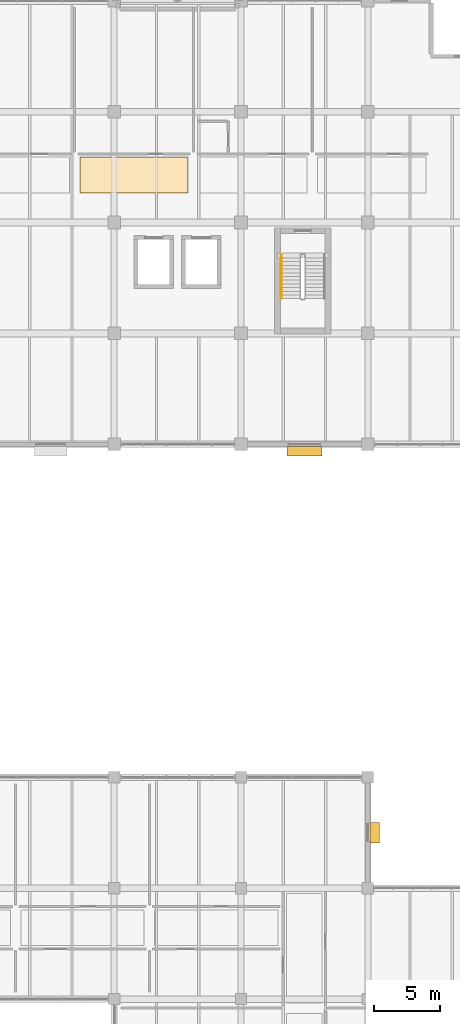
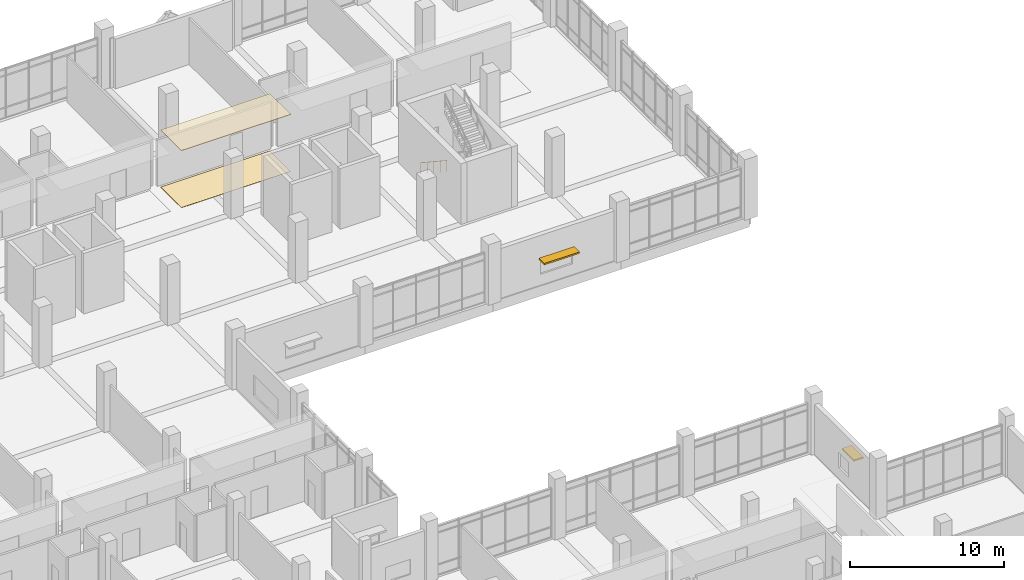
# One storey, part 150 of 152: 2 coverings, 2 shading devices, 1 railing.
"""IFC4 building model written with IfcOpenShell, lengths in metres."""

from ifc_helpers import new_model, si_unit, direction, frame, origin, origin_2d, place, context, subcontext, project, spatial, polyline, rectangle, circle, outline, extrude, material, layer, layer_set, type_object, element, save


model = new_model("IFC4")

# Units and contexts
model_context = context("Model", 3, precision=1e-05, world=origin(), true_north=direction((0.0, 1.0)))
body_context = subcontext(model_context, "Body", "Model", "MODEL_VIEW")
ifc_project = project(units=[si_unit("LENGTHUNIT", "METRE"), si_unit("AREAUNIT", "SQUARE_METRE"), si_unit("VOLUMEUNIT", "CUBIC_METRE"), si_unit("PLANEANGLEUNIT", "RADIAN"), si_unit("MASSUNIT", "GRAM", prefix="KILO")], contexts=[model_context])

# Site, building, storey
site_placement = place(None, origin())
site = spatial("IfcSite", under=ifc_project, at=site_placement, CompositionType="ELEMENT")
building_placement = place(site_placement, origin())
building = spatial("IfcBuilding", under=site, at=building_placement, Name="Oolite Switchyard Hospital", CompositionType="ELEMENT")
storey_placement = place(building_placement, frame((0.0, 0.0, 5.10009765625)))
storey = spatial("IfcBuildingStorey", under=building, at=storey_placement, Name="L01", CompositionType="ELEMENT", Elevation=5.10009765625)

# Coverings
ifc_material_1 = material(Name="Hygienic washable mineral-fibre acoustic ceiling")
ifc_layer_1 = layer(ifc_material_1, 0.0400390625)
ifc_layer_set_1 = layer_set([ifc_layer_1], Name="COV-CEIL-AC60")
covering_type_1 = type_object("IfcCoveringType", Name="COV-CEIL-AC60", PredefinedType="CEILING", material=ifc_layer_set_1)
covering_1_placement = place(storey_placement, frame((0.0, 0.0, 4.5)))
element("IfcCovering", 1, at=covering_1_placement, inside=storey, type_object=covering_type_1, Name="L01 East Ambulatory Surgery Ward Corridor Ceiling 6", PredefinedType="CEILING", context=body_context, shape_type="SweptSolid", body=[
    extrude(outline(polyline([(179.800048828125, 119.85009765625), (188.0, 119.85009765625), (188.0, 122.550048828125), (179.800048828125, 122.550048828125), (179.800048828125, 119.85009765625)])), origin(), (0.0, 0.0, 1.0), 0.039794921875),
])
ifc_material_2 = material(Name="Conductive homogeneous sheet vinyl flooring")
ifc_layer_2 = layer(ifc_material_2, 0.014892578125)
ifc_layer_set_2 = layer_set([ifc_layer_2], Name="COV-FLR-ESD15")
covering_type_2 = type_object("IfcCoveringType", Name="COV-FLR-ESD15", PredefinedType="FLOORING", material=ifc_layer_set_2)
covering_2_placement = place(storey_placement, origin())
element("IfcCovering", 2, at=covering_2_placement, inside=storey, type_object=covering_type_2, Name="L01 East Ambulatory Surgery Ward Corridor Flooring 6", PredefinedType="FLOORING", context=body_context, shape_type="SweptSolid", body=[
    extrude(outline(polyline([(179.800048828125, 119.85009765625), (188.0, 119.85009765625), (188.0, 122.550048828125), (179.800048828125, 122.550048828125), (179.800048828125, 119.85009765625)])), origin(), (0.0, 0.0, 1.0), 0.014892578125),
])

# Railing
ifc_material_3 = material(Name="Galvanized painted architectural steel handrail", Category="steel")
railing_type = type_object("IfcRailingType", Name="RL-STAIR-HND", PredefinedType="HANDRAIL", material=ifc_material_3)
railing_placement = place(storey_placement, frame((195.050048828125, 115.18994140625, 0.1845703125)))
element("IfcRailing", 3, at=railing_placement, inside=storey, type_object=railing_type, Name="L01 ST-04 stair handrail 1", PredefinedType="HANDRAIL", context=body_context, shape_type="SweptSolid", body=[
    extrude(circle(Radius=0.02392578125, at=origin_2d()), frame((0.0, 0.0, 0.8759765625), z_axis=(0.0, -0.834858096282, 0.550465220583), x_axis=(1.0, 0.0, 0.0)), (0.0, 0.0, 1.0), 4.0244140625),
    extrude(circle(Radius=0.02099609375, at=origin_2d()), origin(), (0.0, 0.0, 1.0), 0.851806640625),
    extrude(circle(Radius=0.02099609375, at=origin_2d()), frame((0.0, -0.83984375, 0.5537109375)), (0.0, 0.0, 1.0), 0.851806640625),
    extrude(circle(Radius=0.02099609375, at=origin_2d()), frame((0.0, -1.679931640625, 1.107666015625)), (0.0, 0.0, 1.0), 0.851806640625),
    extrude(circle(Radius=0.02099609375, at=origin_2d()), frame((0.0, -2.52001953125, 1.66162109375)), (0.0, 0.0, 1.0), 0.851806640625),
    extrude(circle(Radius=0.02099609375, at=origin_2d()), frame((0.0, -3.35986328125, 2.21533203125)), (0.0, 0.0, 1.0), 0.851806640625),
])

# Shading devices
ifc_material_4 = material(Name="Precast oolitic limestone architectural concrete C40/50", Category="masonry")
ifc_layer_3 = layer(ifc_material_4, 0.1201171875)
ifc_layer_set_3 = layer_set([ifc_layer_3], Name="SHD-BRISE-900")
shading_device_type = type_object("IfcShadingDeviceType", Name="SHD-BRISE-900", PredefinedType="AWNING", material=ifc_layer_set_3)
shading_device_1_placement = place(storey_placement, frame((196.800048828125, 100.280029296875, 2.059814453125), z_axis=(0.0, 0.0, 1.0), x_axis=(1.0, 0.0, 0.0)))
element("IfcShadingDevice", 4, at=shading_device_1_placement, inside=storey, type_object=shading_device_type, Name="L01 Classical Brise-Soleil Sunshade 22", PredefinedType="AWNING", context=body_context, shape_type="SweptSolid", body=[
    extrude(rectangle(XDim=2.639892578125, YDim=0.699951171875, at=origin_2d()), origin(), (0.0, 0.0, 1.0), 0.1201171875),
])
shading_device_2_placement = place(storey_placement, frame((202.1201171875, 71.39990234375, 2.059814453125), z_axis=(0.0, 0.0, 1.0), x_axis=(0.0, 1.0, 0.0)))
element("IfcShadingDevice", 5, at=shading_device_2_placement, inside=storey, type_object=shading_device_type, Name="L01 Classical Brise-Soleil Sunshade 26", PredefinedType="AWNING", context=body_context, shape_type="SweptSolid", body=[
    extrude(rectangle(XDim=1.5400390625, YDim=0.699951171875, at=origin_2d()), origin(), (0.0, 0.0, 1.0), 0.1201171875),
])

save(model, "model.ifc")
